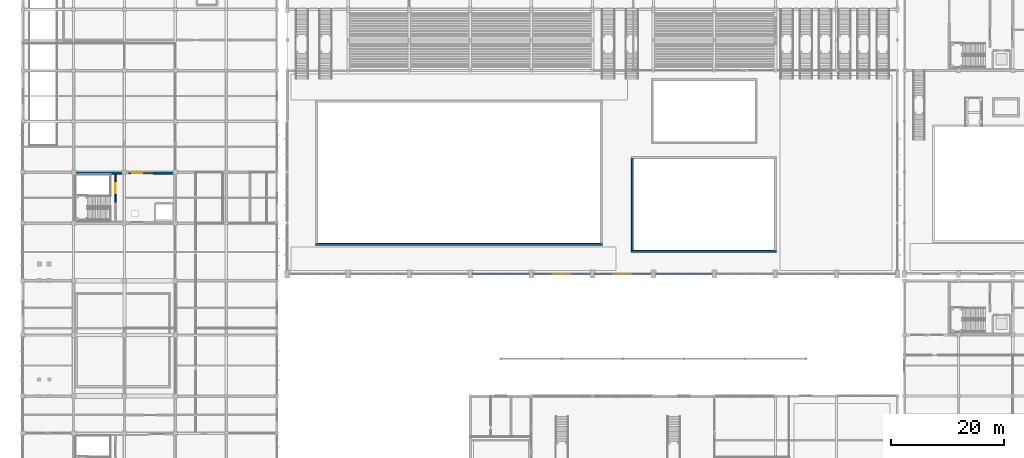
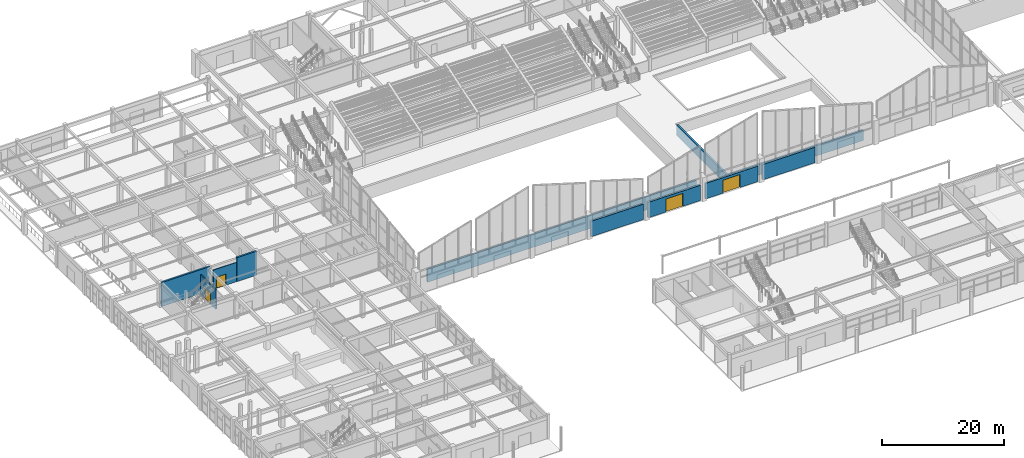
# One storey, part 51 of 82: 11 walls, 4 doors, 4 openings.
"""IFC4 building model written with IfcOpenShell, lengths in metres."""

from ifc_helpers import new_model, si_unit, direction, frame, frame_2d, origin, place, context, subcontext, project, spatial, rectangle, extrude, material, layer, layer_set, type_object, element, fill, save


model = new_model("IFC4")

# Units and contexts
model_context = context("Model", 3, precision=1e-05, world=origin(), true_north=direction((0.0, 1.0)))
body_context = subcontext(model_context, "Body", "Model", "MODEL_VIEW")
ifc_project = project(units=[si_unit("LENGTHUNIT", "METRE"), si_unit("AREAUNIT", "SQUARE_METRE"), si_unit("VOLUMEUNIT", "CUBIC_METRE"), si_unit("PLANEANGLEUNIT", "RADIAN"), si_unit("MASSUNIT", "GRAM", prefix="KILO")], contexts=[model_context])

# Site, building, storey
site_placement = place(None, origin())
site = spatial("IfcSite", under=ifc_project, at=site_placement, CompositionType="ELEMENT")
building_placement = place(site_placement, origin())
building = spatial("IfcBuilding", under=site, at=building_placement, Name="Suirenkawa Promenade Aquatics Centre", CompositionType="ELEMENT")
storey_placement = place(building_placement, origin())
storey = spatial("IfcBuildingStorey", under=building, at=storey_placement, Name="L00", CompositionType="ELEMENT", Elevation=0.0)

# Walls
ifc_material_1 = material(Name="Concrete M40", Category="concrete")
ifc_layer_1 = layer(ifc_material_1, 0.320068359375, Name="Concrete M40", Category="concrete")
ifc_layer_set_1 = layer_set([ifc_layer_1], Name="Concrete M40")
wall_type_1 = type_object("IfcWallType", Name="WT-CORE-320", PredefinedType="SHEAR", material=ifc_layer_set_1)
wall_1_placement = place(storey_placement, frame((9.0, 68.239990234375, 0.0), z_axis=(0.0, 0.0, 1.0), x_axis=(1.0, 0.0, 0.0)))
element("IfcWall", 1, at=wall_1_placement, inside=storey, type_object=wall_type_1, Name="C2 north core wall WL-CORE-01 W-0082", PredefinedType="SHEAR", context=body_context, shape_type="SweptSolid", body=[
    extrude(rectangle(XDim=9.199951171875, YDim=0.320068359375, at=frame_2d((4.60009765625, 0.0))), origin(), (0.0, 0.0, 1.0), 4.800048828125),
])
wall_2_placement = place(storey_placement, frame((23.199951171875, 68.239990234375, 0.0), z_axis=(0.0, 0.0, 1.0), x_axis=(1.0, 0.0, 0.0)))
element("IfcWall", 2, at=wall_2_placement, inside=storey, type_object=wall_type_1, Name="C2 north shaft wall WL-CORE-01 W-0083", PredefinedType="SHEAR", context=body_context, shape_type="SweptSolid", body=[
    extrude(rectangle(XDim=3.800048828125, YDim=0.320068359375, at=frame_2d((1.89990234375, 0.0))), origin(), (0.0, 0.0, 1.0), 4.800048828125),
])
ifc_layer_2 = layer(ifc_material_1, 0.340087890625, Name="Concrete M40", Category="concrete")
ifc_layer_set_2 = layer_set([ifc_layer_2], Name="Concrete M40")
wall_type_2 = type_object("IfcWallType", Name="WT-EXT-340", PredefinedType="SOLIDWALL", material=ifc_layer_set_2)
wall_3_placement = place(storey_placement, frame((89.544921875, 50.39990234375, 0.0), z_axis=(0.0, 0.0, 1.0), x_axis=(-1.0, 0.0, 0.0)))
element("IfcWall", 3, at=wall_3_placement, inside=storey, type_object=wall_type_2, Name="Exterior wall WL-EXT-01 W-5005", PredefinedType="SOLIDWALL", context=body_context, shape_type="SweptSolid", body=[
    extrude(rectangle(XDim=9.889892578125, YDim=0.340087890625, at=frame_2d((4.94482421875, 0.0))), origin(), (0.0, 0.0, 1.0), 3.080078125),
])

# Wall, opening, door
wall_4_placement = place(storey_placement, frame((100.344970703125, 50.39990234375, 0.0), z_axis=(0.0, 0.0, 1.0), x_axis=(-1.0, 0.0, 0.0)))
wall_4 = element("IfcWall", 4, at=wall_4_placement, inside=storey, type_object=wall_type_2, Name="Exterior wall WL-EXT-01 W-5007", PredefinedType="SOLIDWALL", context=body_context, shape_type="SweptSolid", body=[
    extrude(rectangle(XDim=9.889892578125, YDim=0.340087890625, at=frame_2d((4.94482421875, 0.0))), origin(), (0.0, 0.0, 1.0), 3.080078125),
])
opening_1_placement = place(wall_4_placement, frame((3.344970703125, 0.0, 0.0)))
opening_1 = element("IfcOpeningElement", 5, at=opening_1_placement, cuts=wall_4, Name="Opening ED-02", PredefinedType="OPENING", context=body_context, shape_type="SweptSolid", body=[
    extrude(rectangle(XDim=3.199951171875, YDim=2.60009765625, at=frame_2d((1.60009765625, 1.300048828125))), frame((0.0, 0.179931640625, 0.0), z_axis=(0.0, -1.0, 0.0), x_axis=(1.0, 0.0, 0.0)), (0.0, 0.0, 1.0), 0.360107421875),
])
ifc_material_2 = material(Name="Anodised aluminium 6063-T6", Category="aluminium")
door_type_1 = type_object("IfcDoorType", Name="DT-EXT-CONC-3200x2600", OperationType="DOUBLE_DOOR_SINGLE_SWING", PredefinedType="DOOR", material=ifc_material_2)
door_1_placement = place(opening_1_placement, origin())
door_1 = element("IfcDoor", 6, at=door_1_placement, inside=storey, type_object=door_type_1, Name="Exterior door ED-02 DR-EXT-006", OperationType="DOUBLE_DOOR_SINGLE_SWING", OverallHeight=2.60009765625, OverallWidth=3.199951171875, PredefinedType="DOOR", context=body_context, shape_type="SweptSolid", body=[
    extrude(rectangle(XDim=3.199951171875, YDim=2.60009765625, at=frame_2d((1.60009765625, 1.300048828125))), frame((0.0, 0.02490234375, 0.0), z_axis=(0.0, -1.0, 0.0), x_axis=(1.0, 0.0, 0.0)), (0.0, 0.0, 1.0), 0.050048828125),
])
fill(opening_1, door_1)

wall_5_placement = place(storey_placement, frame((111.14501953125, 50.39990234375, 0.0), z_axis=(0.0, 0.0, 1.0), x_axis=(-1.0, 0.0, 0.0)))
wall_5 = element("IfcWall", 7, at=wall_5_placement, inside=storey, type_object=wall_type_2, Name="Exterior wall WL-EXT-01 W-5009", PredefinedType="SOLIDWALL", context=body_context, shape_type="SweptSolid", body=[
    extrude(rectangle(XDim=9.89013671875, YDim=0.340087890625, at=frame_2d((4.945068359375, 0.0))), origin(), (0.0, 0.0, 1.0), 3.080078125),
])
opening_2_placement = place(wall_5_placement, frame((3.344970703125, 0.0, 0.0)))
opening_2 = element("IfcOpeningElement", 8, at=opening_2_placement, cuts=wall_5, Name="Opening ED-02", PredefinedType="OPENING", context=body_context, shape_type="SweptSolid", body=[
    extrude(rectangle(XDim=3.199951171875, YDim=2.60009765625, at=frame_2d((1.60009765625, 1.300048828125))), frame((0.0, 0.179931640625, 0.0), z_axis=(0.0, -1.0, 0.0), x_axis=(1.0, 0.0, 0.0)), (0.0, 0.0, 1.0), 0.360107421875),
])
door_2_placement = place(opening_2_placement, origin())
door_2 = element("IfcDoor", 9, at=door_2_placement, inside=storey, type_object=door_type_1, Name="Exterior door ED-02 DR-EXT-007", OperationType="DOUBLE_DOOR_SINGLE_SWING", OverallHeight=2.60009765625, OverallWidth=3.199951171875, PredefinedType="DOOR", context=body_context, shape_type="SweptSolid", body=[
    extrude(rectangle(XDim=3.199951171875, YDim=2.60009765625, at=frame_2d((1.60009765625, 1.300048828125))), frame((0.0, 0.02490234375, 0.0), z_axis=(0.0, -1.0, 0.0), x_axis=(1.0, 0.0, 0.0)), (0.0, 0.0, 1.0), 0.050048828125),
])
fill(opening_2, door_2)

# Wall
wall_6_placement = place(storey_placement, frame((121.945068359375, 50.39990234375, 0.0), z_axis=(0.0, 0.0, 1.0), x_axis=(-1.0, 0.0, 0.0)))
element("IfcWall", 10, at=wall_6_placement, inside=storey, type_object=wall_type_2, Name="Exterior wall WL-EXT-01 W-5011", PredefinedType="SOLIDWALL", context=body_context, shape_type="SweptSolid", body=[
    extrude(rectangle(XDim=9.89013671875, YDim=0.340087890625, at=frame_2d((4.945068359375, 0.0))), origin(), (0.0, 0.0, 1.0), 3.080078125),
])

# Wall, opening, door
ifc_material_3 = material(Name="Concrete M35", Category="concrete")
ifc_layer_3 = layer(ifc_material_3, 0.219970703125, Name="Concrete M35", Category="concrete")
ifc_layer_set_3 = layer_set([ifc_layer_3], Name="Concrete M35")
wall_type_3 = type_object("IfcWallType", Name="WT-LOBBY-220", PredefinedType="PARTITIONING", material=ifc_layer_set_3)
wall_7_placement = place(storey_placement, frame((16.39990234375, 68.050048828125, 0.0), z_axis=(0.0, 0.0, 1.0), x_axis=(0.0, -1.0, 0.0)))
wall_7 = element("IfcWall", 11, at=wall_7_placement, inside=storey, type_object=wall_type_3, Name="Interior wall WL-LOB-01 W-7042", PredefinedType="PARTITIONING", context=body_context, shape_type="SweptSolid", body=[
    extrude(rectangle(XDim=5.050048828125, YDim=0.219970703125, at=frame_2d((2.52490234375, 0.0))), origin(), (0.0, 0.0, 1.0), 3.8349609375),
])
opening_3_placement = place(wall_7_placement, frame((1.60009765625, 0.0, 0.0)))
opening_3 = element("IfcOpeningElement", 12, at=opening_3_placement, cuts=wall_7, Name="Opening ID-02", PredefinedType="OPENING", context=body_context, shape_type="SweptSolid", body=[
    extrude(rectangle(XDim=1.800048828125, YDim=2.199951171875, at=frame_2d((0.89990234375, 1.10009765625))), frame((0.0, 0.119873046875, 0.0), z_axis=(0.0, -1.0, 0.0), x_axis=(1.0, 0.0, 0.0)), (0.0, 0.0, 1.0), 0.239990234375),
])
ifc_material_4 = material(Name="Steel IS 2062 E350 (Grade 350)", Category="steel")
door_type_2 = type_object("IfcDoorType", Name="DT-FD120-1800x2200", OperationType="DOUBLE_DOOR_SINGLE_SWING", PredefinedType="DOOR", material=ifc_material_4)
door_3_placement = place(opening_3_placement, origin())
door_3 = element("IfcDoor", 13, at=door_3_placement, inside=storey, type_object=door_type_2, Name="Interior door ID-02 DR-INT-0028", OperationType="DOUBLE_DOOR_SINGLE_SWING", OverallHeight=2.199951171875, OverallWidth=1.800048828125, PredefinedType="DOOR", context=body_context, shape_type="SweptSolid", body=[
    extrude(rectangle(XDim=1.800048828125, YDim=2.199951171875, at=frame_2d((0.89990234375, 1.10009765625))), frame((0.0, 0.02490234375, 0.0), z_axis=(0.0, -1.0, 0.0), x_axis=(1.0, 0.0, 0.0)), (0.0, 0.0, 1.0), 0.050048828125),
])
fill(opening_3, door_3)

wall_8_placement = place(storey_placement, frame((18.800048828125, 68.239990234375, 0.0), z_axis=(0.0, 0.0, 1.0), x_axis=(1.0, 0.0, 0.0)))
wall_8 = element("IfcWall", 14, at=wall_8_placement, inside=storey, type_object=wall_type_3, Name="Interior wall WL-LOB-01 W-7047", PredefinedType="PARTITIONING", context=body_context, shape_type="SweptSolid", body=[
    extrude(rectangle(XDim=4.349853515625, YDim=0.219970703125, at=frame_2d((2.1748046875, 0.0))), origin(), (0.0, 0.0, 1.0), 3.8349609375),
])
opening_4_placement = place(wall_8_placement, frame((0.550048828125, 0.0, 0.0)))
opening_4 = element("IfcOpeningElement", 15, at=opening_4_placement, cuts=wall_8, Name="Opening ID-02", PredefinedType="OPENING", context=body_context, shape_type="SweptSolid", body=[
    extrude(rectangle(XDim=1.800048828125, YDim=2.199951171875, at=frame_2d((0.89990234375, 1.10009765625))), frame((0.0, 0.119873046875, 0.0), z_axis=(0.0, -1.0, 0.0), x_axis=(1.0, 0.0, 0.0)), (0.0, 0.0, 1.0), 0.239990234375),
])
door_4_placement = place(opening_4_placement, origin())
door_4 = element("IfcDoor", 16, at=door_4_placement, inside=storey, type_object=door_type_2, Name="Interior door ID-02 DR-INT-0031", OperationType="DOUBLE_DOOR_SINGLE_SWING", OverallHeight=2.199951171875, OverallWidth=1.800048828125, PredefinedType="DOOR", context=body_context, shape_type="SweptSolid", body=[
    extrude(rectangle(XDim=1.800048828125, YDim=2.199951171875, at=frame_2d((0.89990234375, 1.10009765625))), frame((0.0, 0.02490234375, 0.0), z_axis=(0.0, -1.0, 0.0), x_axis=(1.0, 0.0, 0.0)), (0.0, 0.0, 1.0), 0.050048828125),
])
fill(opening_4, door_4)

# Walls
ifc_material_5 = material(Name="Waterproof concrete M40", Category="concrete")
ifc_layer_4 = layer(ifc_material_5, 0.35009765625, Name="Waterproof concrete M40", Category="concrete")
ifc_layer_set_4 = layer_set([ifc_layer_4], Name="Waterproof concrete M40")
wall_type_4 = type_object("IfcWallType", Name="WT-TANK-350", PredefinedType="USERDEFINED", material=ifc_layer_set_4)
wall_9_placement = place(storey_placement, frame((51.85009765625, 55.625, -2.5), z_axis=(0.0, 0.0, 1.0), x_axis=(1.0, 0.0, 0.0)))
element("IfcWall", 17, at=wall_9_placement, inside=storey, type_object=wall_type_4, Name="50m Competition Pool south tank wall WL-RET-03 W-0017", ObjectType="RETAININGWALL", PredefinedType="USERDEFINED", context=body_context, shape_type="SweptSolid", body=[
    extrude(rectangle(XDim=50.719970703125, YDim=0.35009765625, at=frame_2d((25.35986328125, 0.0))), origin(), (0.0, 0.0, 1.0), 2.580078125),
])
wall_10_placement = place(storey_placement, frame((107.64990234375, 54.425048828125, -2.0), z_axis=(0.0, 0.0, 1.0), x_axis=(1.0, 0.0, 0.0)))
element("IfcWall", 18, at=wall_10_placement, inside=storey, type_object=wall_type_4, Name="25m Training and Warm-Up Pool south tank wall WL-RET-03 W-0021", ObjectType="RETAININGWALL", PredefinedType="USERDEFINED", context=body_context, shape_type="SweptSolid", body=[
    extrude(rectangle(XDim=25.72021484375, YDim=0.35009765625, at=frame_2d((12.860107421875, 0.0))), origin(), (0.0, 0.0, 1.0), 2.080078125),
])
wall_11_placement = place(storey_placement, frame((107.824951171875, 54.60009765625, -2.0), z_axis=(0.0, 0.0, 1.0), x_axis=(0.0, 1.0, 0.0)))
element("IfcWall", 19, at=wall_11_placement, inside=storey, type_object=wall_type_4, Name="25m Training and Warm-Up Pool west tank wall WL-RET-03 W-0023", ObjectType="RETAININGWALL", PredefinedType="USERDEFINED", context=body_context, shape_type="SweptSolid", body=[
    extrude(rectangle(XDim=16.199951171875, YDim=0.35009765625, at=frame_2d((8.10009765625, 0.0))), origin(), (0.0, 0.0, 1.0), 2.080078125),
])

save(model, "model.ifc")
